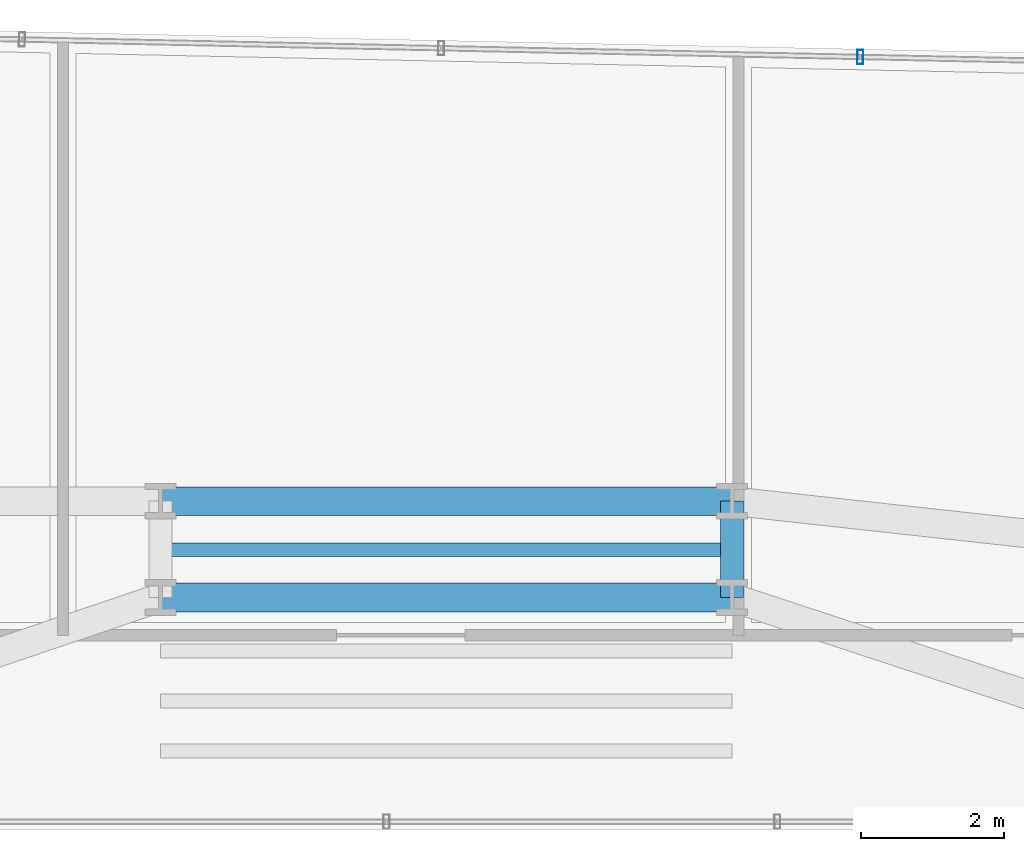
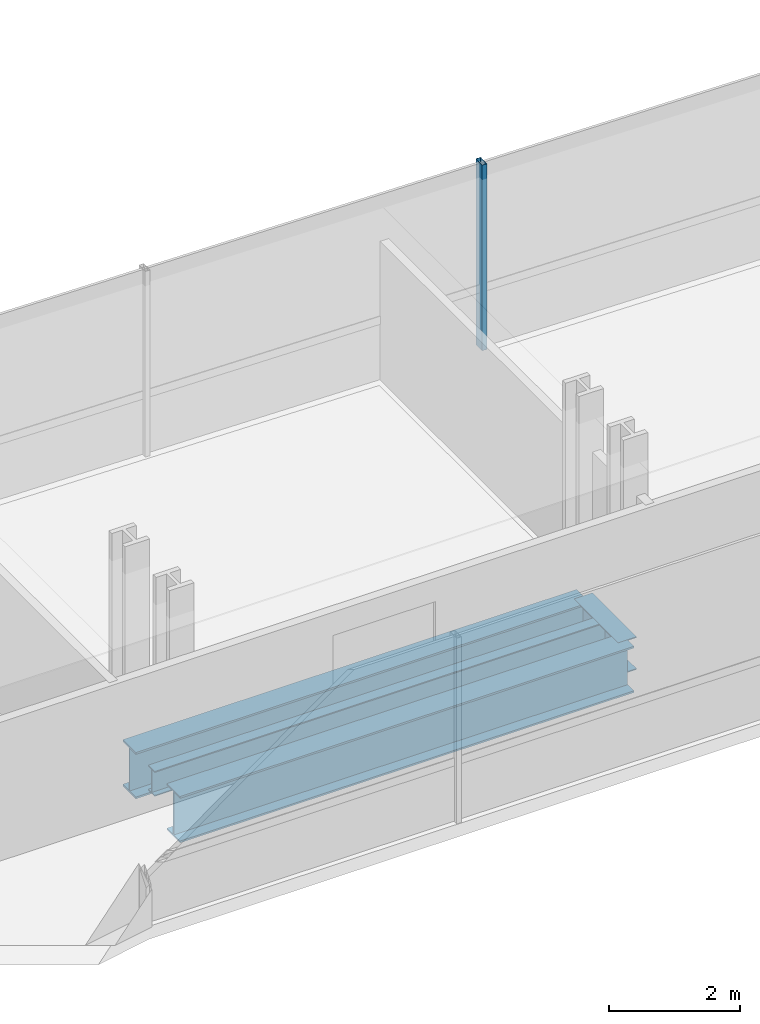
# One storey, part 20 of 39: 4 beams, 1 member, 1 element without a shape of its own.
"""IFC4 building model written with IfcOpenShell, lengths in metres."""

from ifc_helpers import new_model, si_unit, direction, frame, origin, origin_2d, place, context, subcontext, project, spatial, hollow_rectangle, i_section, extrude, source, transform, mapped, material, material_profile, profile_set, type_object, element, aggregate, save


model = new_model("IFC4")

# Units and contexts
model_context = context("Model", 3, precision=1e-05, world=origin(), true_north=direction((0.0, 1.0)))
body_context = subcontext(model_context, "Body", "Model", "MODEL_VIEW")
ifc_project = project(units=[si_unit("LENGTHUNIT", "METRE"), si_unit("AREAUNIT", "SQUARE_METRE"), si_unit("VOLUMEUNIT", "CUBIC_METRE"), si_unit("PLANEANGLEUNIT", "RADIAN"), si_unit("MASSUNIT", "GRAM", prefix="KILO")], contexts=[model_context])

# Site, building, storey
site_placement = place(None, origin())
site = spatial("IfcSite", under=ifc_project, at=site_placement, CompositionType="ELEMENT")
building_placement = place(site_placement, origin())
building = spatial("IfcBuilding", under=site, at=building_placement, Name="Valdorenza Pilgrim Sanctuary Tower", CompositionType="ELEMENT")
storey_placement = place(building_placement, frame((0.0, 0.0, 77.800048828125)))
storey = spatial("IfcBuildingStorey", under=building, at=storey_placement, Name="L19", CompositionType="ELEMENT", Elevation=77.800048828125)

# Beams
ifc_material_1 = material(Name="Steel ASTM A992 Grade 50", Category="steel")
ifc_material_profile_1 = material_profile(ifc_material_1, i_section(OverallWidth=0.39990234375, OverallDepth=0.862060546875, WebThickness=0.019775390625, FlangeThickness=0.032470703125, at=origin_2d()), Name="W33X221")
ifc_profile_set_1 = profile_set([ifc_material_profile_1], Name="Steel ASTM A992 Grade 50")
beam_type_1 = type_object("IfcBeamType", Name="STR-BM-GRD-W33", PredefinedType="BEAM", material=ifc_profile_set_1)
shared_shape_1 = source(origin(), body_context, "Body", "SweptSolid", [
    extrude(i_section(OverallWidth=0.39990234375, OverallDepth=0.862060546875, WebThickness=0.019775390625, FlangeThickness=0.032470703125, at=origin_2d()), origin(), (0.0, 0.0, 1.0), 8.0),
])
for number, where, z_axis, x_axis, name in (
    (1, (-4.0, 13.449951171875, -0.671142578125), (1.0, 0.0, 0.0), (0.0, 1.0, 0.0), "L19 Floor Girder KNK-G2"),
    (2, (-4.0, 14.800048828125, -0.671142578125), (1.0, 0.0, 0.0), (0.0, 1.0, 0.0), "L19 Floor Girder KNK-G5"),
):
    element("IfcBeam", number, at=place(storey_placement, frame(where, z_axis=z_axis, x_axis=x_axis)), inside=storey, type_object=beam_type_1, Name=name, PredefinedType="BEAM", context=body_context, shape_type="MappedRepresentation", body=[
        mapped(shared_shape_1, transform((0.0, 0.0, 0.0), x_axis=(1.0, 0.0, 0.0), y_axis=(0.0, 1.0, 0.0), z_axis=(0.0, 0.0, 1.0), scale=1.0)),
    ])
ifc_material_profile_2 = material_profile(ifc_material_1, i_section(OverallWidth=0.323974609375, OverallDepth=0.611083984375, WebThickness=0.0126953125, FlangeThickness=0.01904296875, at=origin_2d()), Name="W24X104")
ifc_profile_set_2 = profile_set([ifc_material_profile_2], Name="Steel ASTM A992 Grade 50")
beam_type_2 = type_object("IfcBeamType", Name="STR-BM-GRD-W24B", PredefinedType="BEAM", material=ifc_profile_set_2)
shared_shape_2 = source(origin(), body_context, "Body", "SweptSolid", [
    extrude(i_section(OverallWidth=0.323974609375, OverallDepth=0.611083984375, WebThickness=0.0126953125, FlangeThickness=0.01904296875, at=origin_2d()), origin(), (0.0, 0.0, 1.0), 1.35009765625),
])
beam_1_placement = place(storey_placement, frame((4.0, 13.449951171875, -0.545654296875), z_axis=(0.0, 1.0, 0.0), x_axis=(-1.0, 0.0, 0.0)))
element("IfcBeam", 3, at=beam_1_placement, inside=storey, type_object=beam_type_2, Name="L19 Floor Girder KNK-TIE-E", PredefinedType="BEAM", context=body_context, shape_type="MappedRepresentation", body=[
    mapped(shared_shape_2, transform((0.0, 0.0, 0.0), x_axis=(1.0, 0.0, 0.0), y_axis=(0.0, 1.0, 0.0), z_axis=(0.0, 0.0, 1.0), scale=1.0)),
])
ifc_material_profile_3 = material_profile(ifc_material_1, i_section(OverallWidth=0.193115234375, OverallDepth=0.466064453125, WebThickness=0.011474609375, FlangeThickness=0.01904296875, at=origin_2d()), Name="W18X65")
ifc_profile_set_3 = profile_set([ifc_material_profile_3], Name="Steel ASTM A992 Grade 50")
beam_type_3 = type_object("IfcBeamType", Name="STR-BM-JST-W18A", PredefinedType="JOIST", material=ifc_profile_set_3)
shared_shape_3 = source(origin(), body_context, "Body", "SweptSolid", [
    extrude(i_section(OverallWidth=0.193115234375, OverallDepth=0.466064453125, WebThickness=0.011474609375, FlangeThickness=0.01904296875, at=origin_2d()), origin(), (0.0, 0.0, 1.0), 8.0),
])
beam_2_placement = place(storey_placement, frame((-4.0, 14.1201171875, -0.47314453125), z_axis=(1.0, 0.0, 0.0), x_axis=(0.0, 1.0, 0.0)))
element("IfcBeam", 4, at=beam_2_placement, inside=storey, type_object=beam_type_3, Name="L19 Knuckle Composite Joist JST-KNK-4", PredefinedType="JOIST", context=body_context, shape_type="MappedRepresentation", body=[
    mapped(shared_shape_3, transform((0.0, 0.0, 0.0), x_axis=(1.0, 0.0, 0.0), y_axis=(0.0, 1.0, 0.0), z_axis=(0.0, 0.0, 1.0), scale=1.0)),
])

# Curtain wall, member
ifc_material_2 = material(Name="Curtain-wall IGU glazing", Category="glass")
curtain_wall_type = type_object("IfcCurtainWallType", Name="CW-SYS-02", PredefinedType="NOTDEFINED", material=ifc_material_2)
curtain_wall_placement = place(storey_placement, origin())
curtain_wall = element("IfcCurtainWall", 5, at=curtain_wall_placement, inside=storey, type_object=curtain_wall_type, Name="L19 Curtain Wall CW-L19-1-11", PredefinedType="NOTDEFINED")
ifc_material_3 = material(Name="Anodised aluminium AW-6060", Category="aluminium")
ifc_material_profile_4 = material_profile(ifc_material_3, hollow_rectangle(XDim=0.0849609375, YDim=0.199951171875, WallThickness=0.0048828125, at=origin_2d()), Name="ALU-M 200x85x5")
ifc_profile_set_4 = profile_set([ifc_material_profile_4], Name="Anodised aluminium AW-6060")
member_type = type_object("IfcMemberType", Name="CW-MUL-02", PredefinedType="MULLION", material=ifc_profile_set_4)
shared_shape_4 = source(origin(), body_context, "Body", "SweptSolid", [
    extrude(hollow_rectangle(XDim=0.0849609375, YDim=0.199951171875, WallThickness=0.0048828125, at=origin_2d()), origin(), (0.0, 0.0, 1.0), 3.4599609375),
])
member_placement = place(storey_placement, frame((5.797119140625, 21.019287109375, 0.0), z_axis=(0.0, 0.0, 1.0), x_axis=(0.999783234613, -0.020820273474, 0.0)))
member = element("IfcMember", 6, at=member_placement, type_object=member_type, Name="CW-L19-1-11 Mullion 4", PredefinedType="MULLION", context=body_context, shape_type="MappedRepresentation", body=[
    mapped(shared_shape_4, transform((0.0, 0.0, 0.0), x_axis=(1.0, 0.0, 0.0), y_axis=(0.0, 1.0, 0.0), z_axis=(0.0, 0.0, 1.0), scale=1.0)),
])
aggregate(curtain_wall, [member])

save(model, "model.ifc")
